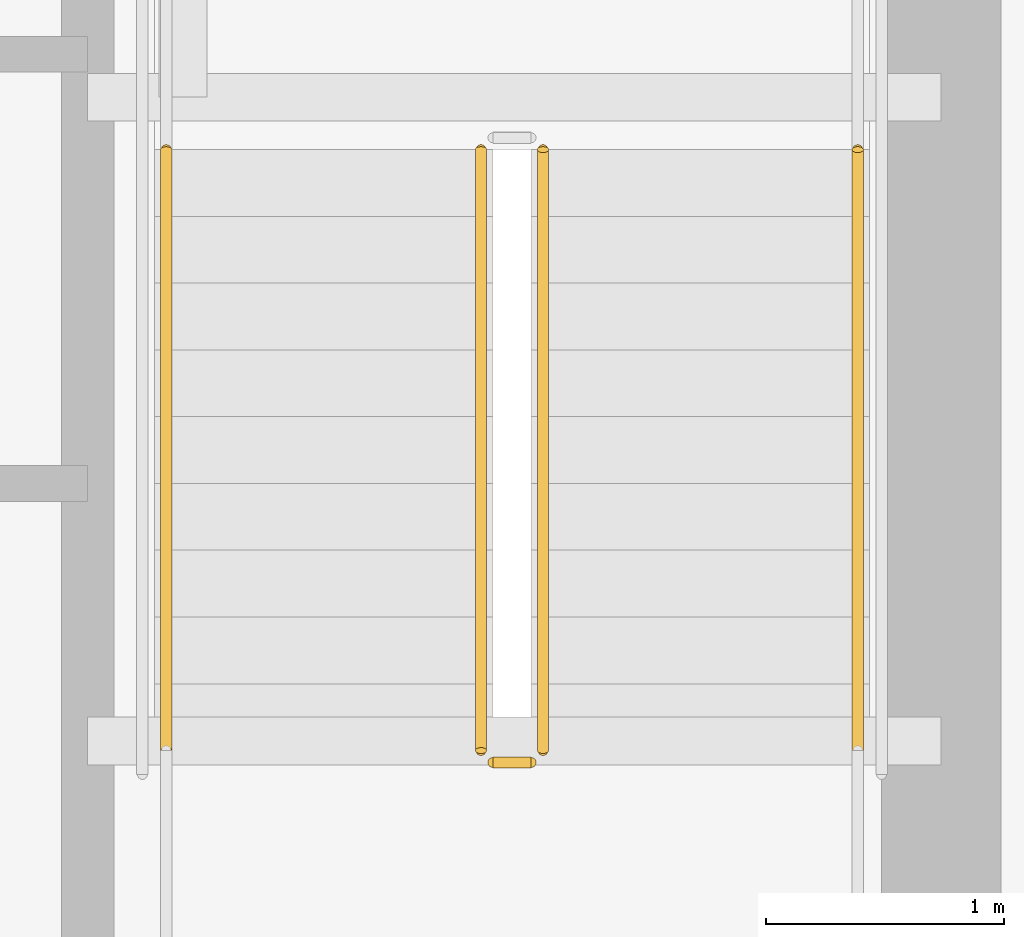
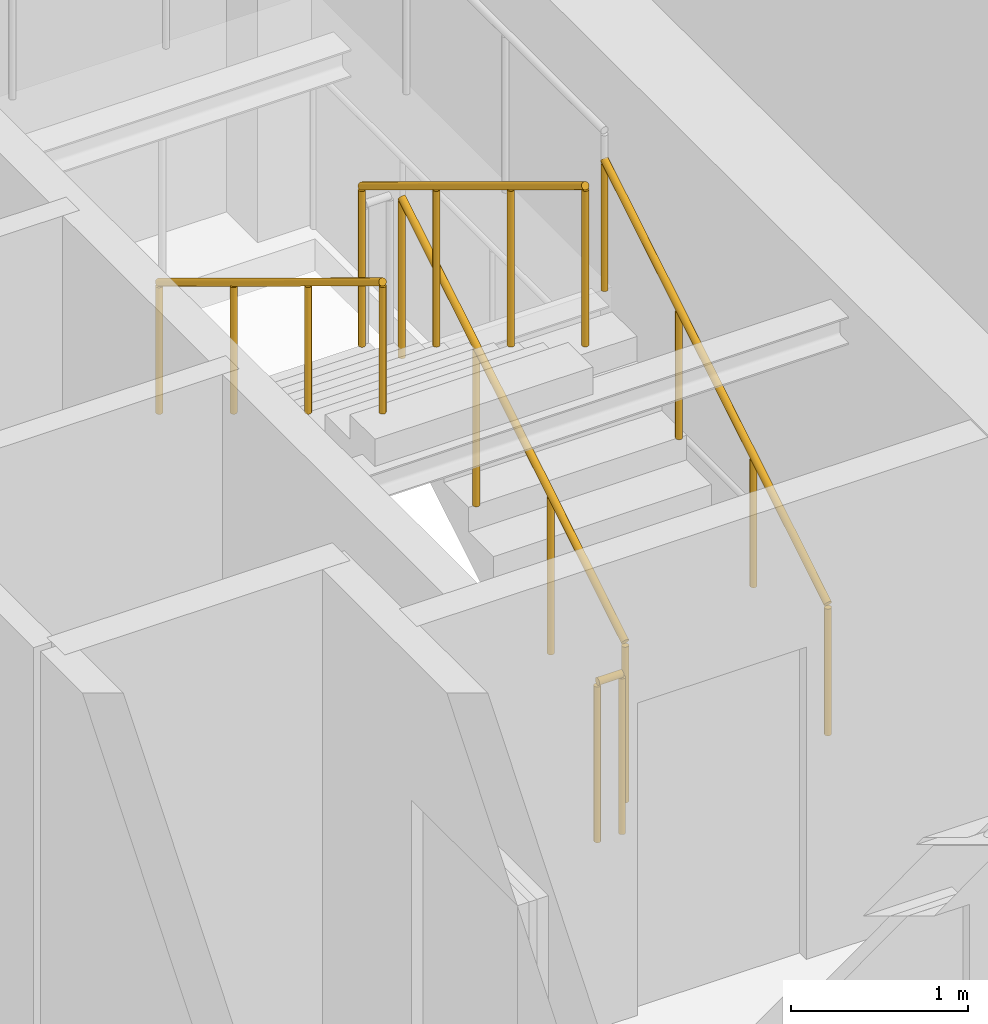
# One storey, part 30 of 33: 5 railings.
"""IFC4 building model written with IfcOpenShell, lengths in metres."""

from ifc_helpers import new_model, si_unit, direction, frame, origin, origin_2d, place, context, subcontext, project, spatial, circle, extrude, material, layer, layer_set, type_object, element, save


model = new_model("IFC4")

# Units and contexts
model_context = context("Model", 3, precision=1e-05, world=origin(), true_north=direction((0.0, 1.0)))
body_context = subcontext(model_context, "Body", "Model", "MODEL_VIEW")
ifc_project = project(units=[si_unit("LENGTHUNIT", "METRE"), si_unit("AREAUNIT", "SQUARE_METRE"), si_unit("VOLUMEUNIT", "CUBIC_METRE"), si_unit("PLANEANGLEUNIT", "RADIAN"), si_unit("MASSUNIT", "GRAM", prefix="KILO")], contexts=[model_context])

# Site, building, storey
site_placement = place(None, origin())
site = spatial("IfcSite", under=ifc_project, at=site_placement, CompositionType="ELEMENT")
building_placement = place(site_placement, origin())
building = spatial("IfcBuilding", under=site, at=building_placement, Name="Yelkora Congress Tower", CompositionType="ELEMENT")
storey_placement = place(building_placement, frame((0.0, 0.0, 47.39990234375)))
storey = spatial("IfcBuildingStorey", under=building, at=storey_placement, Name="L11", CompositionType="ELEMENT", Elevation=47.39990234375)

# Railings
ifc_material_1 = material(Name="Painted galvanised steel stair well guard with vertical infill", Category="steel")
ifc_layer_1 = layer(ifc_material_1, 0.06005859375)
ifc_layer_set_1 = layer_set([ifc_layer_1], Name="Painted galvanised steel stair well guard with vertical infill")
railing_type_1 = type_object("IfcRailingType", Name="RAIL-STAIR-GUARD-1120", PredefinedType="GUARDRAIL", material=ifc_layer_set_1)
railing_1_placement = place(storey_placement, frame((52.090087890625, 39.60009765625, 0.170166015625)))
element("IfcRailing", 1, at=railing_1_placement, inside=storey, type_object=railing_type_1, Name="ST-02 L11 Stair Well Guardrail 1", PredefinedType="GUARDRAIL", context=body_context, shape_type="SweptSolid", body=[
    extrude(circle(Radius=0.02392578125, at=origin_2d()), frame((0.0, 0.0, 1.09619140625), z_axis=(0.0, 0.85478489116, 0.518982456201), x_axis=(-1.0, 0.0, 0.0)), (0.0, 0.0, 1.0), 2.9482421875),
    extrude(circle(Radius=0.02099609375, at=origin_2d()), origin(), (0.0, 0.0, 1.0), 1.072021484375),
    extrude(circle(Radius=0.02099609375, at=origin_2d()), frame((0.0, 0.840087890625, 0.510009765625)), (0.0, 0.0, 1.0), 1.072021484375),
    extrude(circle(Radius=0.02099609375, at=origin_2d()), frame((0.0, 1.679931640625, 1.02001953125)), (0.0, 0.0, 1.0), 1.072021484375),
    extrude(circle(Radius=0.02099609375, at=origin_2d()), frame((0.0, 2.52001953125, 1.530029296875)), (0.0, 0.0, 1.0), 1.072021484375),
])
railing_2_placement = place(storey_placement, frame((51.830078125, 42.1201171875, 1.8701171875)))
element("IfcRailing", 2, at=railing_2_placement, inside=storey, type_object=railing_type_1, Name="ST-02 L11 Stair Well Guardrail 6", PredefinedType="GUARDRAIL", context=body_context, shape_type="SweptSolid", body=[
    extrude(circle(Radius=0.02392578125, at=origin_2d()), frame((0.0, 0.0, 1.09619140625), z_axis=(0.0, -0.85478489116, 0.518982456201), x_axis=(1.0, 0.0, 0.0)), (0.0, 0.0, 1.0), 2.9482421875),
    extrude(circle(Radius=0.02099609375, at=origin_2d()), origin(), (0.0, 0.0, 1.0), 1.072021484375),
    extrude(circle(Radius=0.02099609375, at=origin_2d()), frame((0.0, -0.840087890625, 0.510009765625)), (0.0, 0.0, 1.0), 1.072021484375),
    extrude(circle(Radius=0.02099609375, at=origin_2d()), frame((0.0, -1.679931640625, 1.02001953125)), (0.0, 0.0, 1.0), 1.072021484375),
    extrude(circle(Radius=0.02099609375, at=origin_2d()), frame((0.0, -2.52001953125, 1.530029296875)), (0.0, 0.0, 1.0), 1.072021484375),
])
railing_3_placement = place(storey_placement, frame((52.0400390625, 39.550048828125, 0.0)))
element("IfcRailing", 3, at=railing_3_placement, inside=storey, type_object=railing_type_1, Name="ST-02 L11 Stair Well Guardrail 7", PredefinedType="GUARDRAIL", context=body_context, shape_type="SweptSolid", body=[
    extrude(circle(Radius=0.02392578125, at=origin_2d()), frame((0.0, 0.0, 1.09619140625), z_axis=(-1.0, 0.0, 0.0), x_axis=(0.0, -1.0, 0.0)), (0.0, 0.0, 1.0), 0.16015625),
    extrude(circle(Radius=0.02099609375, at=origin_2d()), origin(), (0.0, 0.0, 1.0), 1.072021484375),
    extrude(circle(Radius=0.02099609375, at=origin_2d()), frame((-0.16015625, 0.0, 0.0)), (0.0, 0.0, 1.0), 1.072021484375),
])
ifc_material_2 = material(Name="Brushed stainless steel tubular handrail", Category="steel")
ifc_layer_2 = layer(ifc_material_2, 0.050048828125)
ifc_layer_set_2 = layer_set([ifc_layer_2], Name="Brushed stainless steel tubular handrail")
railing_type_2 = type_object("IfcRailingType", Name="RAIL-STAIR-HAND-920", PredefinedType="HANDRAIL", material=ifc_layer_set_2)
railing_4_placement = place(storey_placement, frame((53.409912109375, 39.60009765625, 0.170166015625)))
element("IfcRailing", 4, at=railing_4_placement, inside=storey, type_object=railing_type_2, Name="ST-02 L11 Pitch Handrail 1", PredefinedType="HANDRAIL", context=body_context, shape_type="SweptSolid", body=[
    extrude(circle(Radius=0.02392578125, at=origin_2d()), frame((0.0, 0.0, 0.89599609375), z_axis=(0.0, 0.85478489116, 0.518982456201), x_axis=(-1.0, 0.0, 0.0)), (0.0, 0.0, 1.0), 2.9482421875),
    extrude(circle(Radius=0.02099609375, at=origin_2d()), origin(), (0.0, 0.0, 1.0), 0.871826171875),
    extrude(circle(Radius=0.02099609375, at=origin_2d()), frame((0.0, 0.840087890625, 0.510009765625)), (0.0, 0.0, 1.0), 0.871826171875),
    extrude(circle(Radius=0.02099609375, at=origin_2d()), frame((0.0, 1.679931640625, 1.02001953125)), (0.0, 0.0, 1.0), 0.871826171875),
    extrude(circle(Radius=0.02099609375, at=origin_2d()), frame((0.0, 2.52001953125, 1.530029296875)), (0.0, 0.0, 1.0), 0.871826171875),
])
railing_5_placement = place(storey_placement, frame((50.510009765625, 42.1201171875, 1.8701171875)))
element("IfcRailing", 5, at=railing_5_placement, inside=storey, type_object=railing_type_2, Name="ST-02 L11 Pitch Handrail 2", PredefinedType="HANDRAIL", context=body_context, shape_type="SweptSolid", body=[
    extrude(circle(Radius=0.02392578125, at=origin_2d()), frame((0.0, 0.0, 0.89599609375), z_axis=(0.0, -0.85478489116, 0.518982456201), x_axis=(1.0, 0.0, 0.0)), (0.0, 0.0, 1.0), 2.9482421875),
    extrude(circle(Radius=0.02099609375, at=origin_2d()), origin(), (0.0, 0.0, 1.0), 0.871826171875),
    extrude(circle(Radius=0.02099609375, at=origin_2d()), frame((0.0, -0.840087890625, 0.510009765625)), (0.0, 0.0, 1.0), 0.871826171875),
    extrude(circle(Radius=0.02099609375, at=origin_2d()), frame((0.0, -1.679931640625, 1.02001953125)), (0.0, 0.0, 1.0), 0.871826171875),
    extrude(circle(Radius=0.02099609375, at=origin_2d()), frame((0.0, -2.52001953125, 1.530029296875)), (0.0, 0.0, 1.0), 0.871826171875),
])

save(model, "model.ifc")
